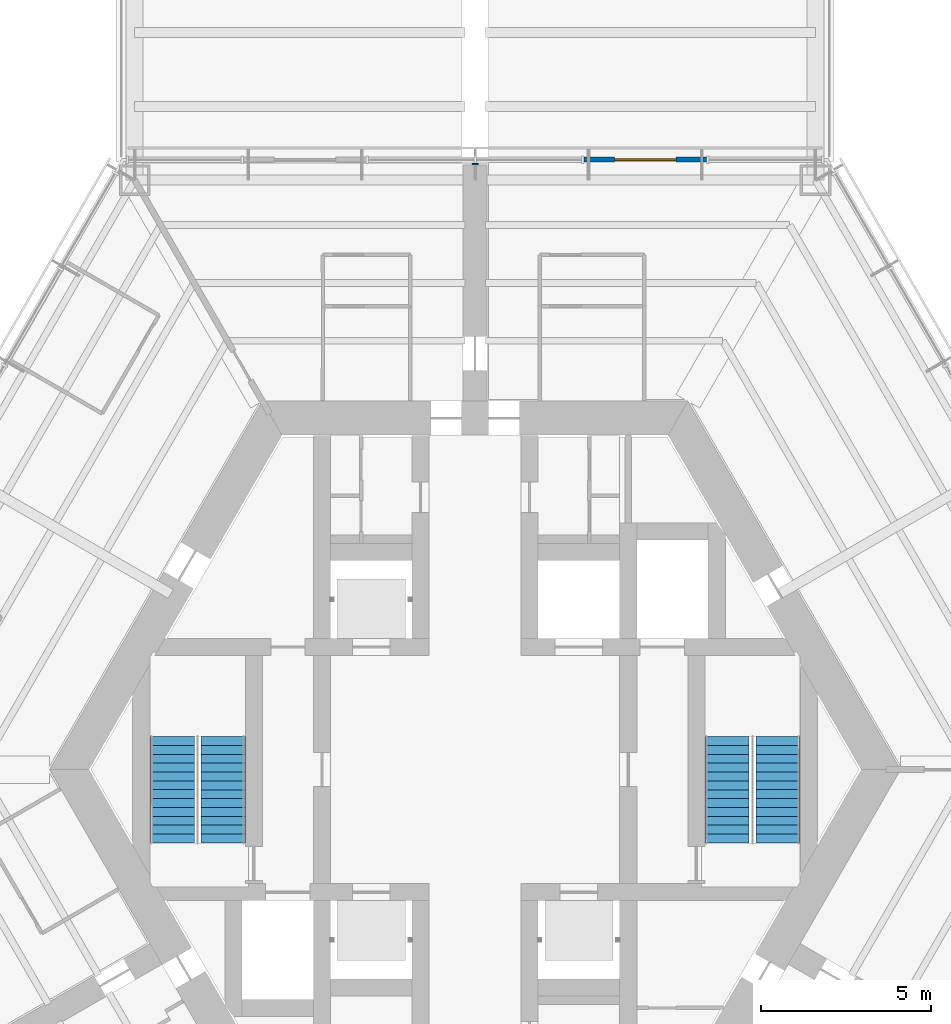
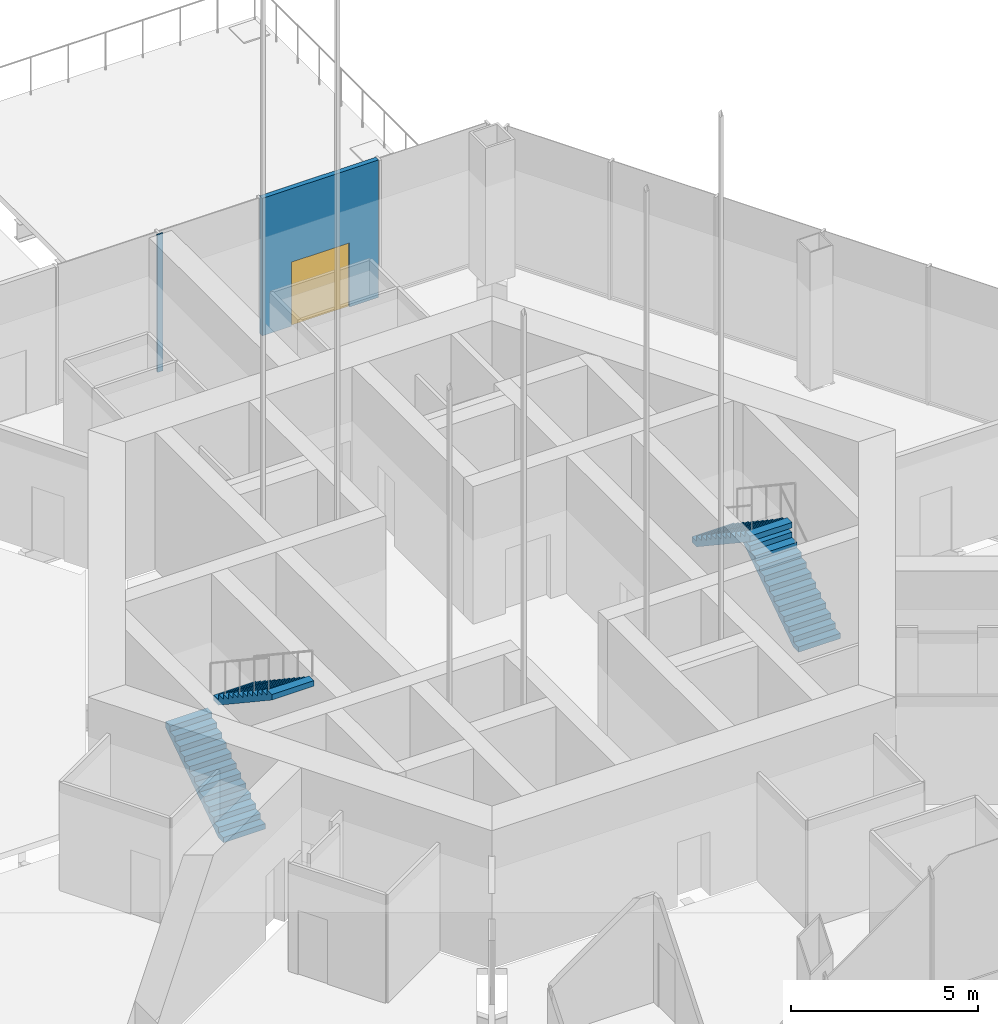
# One storey, part 13 of 18: 4 stair flights, 2 walls, 1 door, 1 opening, 2 elements without a shape of their own.
"""IFC4 building model written with IfcOpenShell, lengths in metres."""

from ifc_helpers import new_model, si_unit, direction, frame, frame_2d, origin, place, context, subcontext, project, spatial, polyline, rectangle, outline, extrude, material, layer, layer_set, type_object, element, fill, aggregate, save


model = new_model("IFC4")

# Units and contexts
model_context = context("Model", 3, precision=1e-05, world=origin(), true_north=direction((0.0, 1.0)))
body_context = subcontext(model_context, "Body", "Model", "MODEL_VIEW")
ifc_project = project(units=[si_unit("LENGTHUNIT", "METRE"), si_unit("AREAUNIT", "SQUARE_METRE"), si_unit("VOLUMEUNIT", "CUBIC_METRE"), si_unit("PLANEANGLEUNIT", "RADIAN"), si_unit("MASSUNIT", "GRAM", prefix="KILO")], contexts=[model_context])

# Site, building, storey
site_placement = place(None, origin())
site = spatial("IfcSite", under=ifc_project, at=site_placement, CompositionType="ELEMENT")
building_placement = place(site_placement, origin())
building = spatial("IfcBuilding", under=site, at=building_placement, Name="Kasaneha Research Tower", CompositionType="ELEMENT")
storey_placement = place(building_placement, frame((0.0, 0.0, 128.60009765625)))
storey = spatial("IfcBuildingStorey", under=building, at=storey_placement, Name="L32", CompositionType="ELEMENT", Elevation=128.60009765625)

# Wall, opening, door
ifc_material_1 = material(Name="Glass and aluminium", Category="aluminium")
ifc_layer_1 = layer(ifc_material_1, 0.14990234375)
ifc_layer_set_1 = layer_set([ifc_layer_1], Name="Glazed entrance screen 150")
wall_type_1 = type_object("IfcWallType", Name="Glazed entrance screen 150", PredefinedType="STANDARD", material=ifc_layer_set_1)
wall_1_placement = place(storey_placement, frame((6.800048828125, 17.92041015625, 0.0), z_axis=(0.0, 0.0, 1.0), x_axis=(-1.0, 0.0, 0.0)))
wall_1 = element("IfcWall", 1, at=wall_1_placement, inside=storey, type_object=wall_type_1, Name="Glazed entrance screen L32", PredefinedType="STANDARD", context=body_context, shape_type="SweptSolid", body=[
    extrude(rectangle(XDim=3.60009765625, YDim=0.14990234375, at=frame_2d((1.800048828125, 0.0))), origin(), (0.0, 0.0, 1.0), 4.5),
])
opening_placement = place(wall_1_placement, frame((0.89990234375, 0.0, 0.0)))
opening = element("IfcOpeningElement", 2, at=opening_placement, cuts=wall_1, Name="Opening L32-ED08", PredefinedType="OPENING", context=body_context, shape_type="SweptSolid", body=[
    extrude(rectangle(XDim=1.800048828125, YDim=2.10009765625, at=frame_2d((0.89990234375, 1.050048828125))), frame((0.0, 0.0849609375, 0.0), z_axis=(0.0, -1.0, 0.0), x_axis=(1.0, 0.0, 0.0)), (0.0, 0.0, 1.0), 0.169921875),
])
ifc_material_2 = material(Name="Glass and aluminium", Category="aluminium")
door_type = type_object("IfcDoorType", Name="Terrace door 1800x2100", OperationType="DOUBLE_DOOR_SINGLE_SWING", PredefinedType="DOOR", material=ifc_material_2)
door_placement = place(opening_placement, origin())
door = element("IfcDoor", 3, at=door_placement, inside=storey, type_object=door_type, Name="Terrace door L32-ED08", OperationType="DOUBLE_DOOR_SINGLE_SWING", OverallHeight=2.10009765625, OverallWidth=1.800048828125, PredefinedType="DOOR", context=body_context, shape_type="SweptSolid", body=[
    extrude(rectangle(XDim=1.800048828125, YDim=2.10009765625, at=frame_2d((0.89990234375, 1.050048828125))), frame((0.0, 0.02490234375, 0.0), z_axis=(0.0, -1.0, 0.0), x_axis=(1.0, 0.0, 0.0)), (0.0, 0.0, 1.0), 0.050048828125),
])
fill(opening, door)

# Wall
ifc_material_3 = material(Name="Gypsum board on steel studs, two layers each side", Category="steel")
ifc_layer_2 = layer(ifc_material_3, 0.175048828125)
ifc_layer_set_2 = layer_set([ifc_layer_2], Name="Tenancy fire partition 175")
wall_type_2 = type_object("IfcWallType", Name="Tenancy fire partition 175", PredefinedType="PARTITIONING", material=ifc_layer_set_2)
wall_2_placement = place(storey_placement, frame((0.0, 17.7705078125, 0.0), z_axis=(0.0, 0.0, 1.0), x_axis=(0.0, 1.0, 0.0)))
element("IfcWall", 4, at=wall_2_placement, inside=storey, type_object=wall_type_2, Name="Spine wall closer SW3-700 L32", PredefinedType="PARTITIONING", context=body_context, shape_type="SweptSolid", body=[
    extrude(rectangle(XDim=0.044921875, YDim=0.175048828125, at=frame_2d((0.0224609375, 0.0))), origin(), (0.0, 0.0, 1.0), 4.5),
])

# Stair, stair flights
ifc_material_4 = material(Name="Concrete Fc24", Category="concrete")
stair_type = type_object("IfcStairType", Name="Half-turn stair 26 risers", PredefinedType="HALF_TURN_STAIR", material=ifc_material_4)
stair_1_placement = place(storey_placement, origin())
stair_1 = element("IfcStair", 5, at=stair_1_placement, inside=storey, type_object=stair_type, Name="Stair 1 L32", PredefinedType="HALF_TURN_STAIR")
ifc_material_5 = material(Name="Concrete Fc24", Category="concrete")
stair_flight_type = type_object("IfcStairFlightType", Name="Stair flight 13 risers 173.1", PredefinedType="STRAIGHT", material=ifc_material_5)
stair_flight_1_placement = place(storey_placement, frame((8.89990234375, -2.14990234375, 0.0), z_axis=(0.0, 0.0, 1.0), x_axis=(0.0, 1.0, 0.0)))
stair_flight_1 = element("IfcStairFlight", 6, at=stair_flight_1_placement, type_object=stair_flight_type, Name="ST1-26R flight 1", NumberOfRisers=13, NumberOfTreads=12, PredefinedType="STRAIGHT", RiserHeight=0.173076923, TreadLength=0.26, context=body_context, shape_type="SweptSolid", body=[
    extrude(outline(polyline([(0.0, 0.0), (0.0, 0.173095703125), (0.260009765625, 0.173095703125), (0.260009765625, 0.34619140625), (0.52001953125, 0.34619140625), (0.52001953125, 0.519287109375), (0.780029296875, 0.519287109375), (0.780029296875, 0.6923828125), (1.0400390625, 0.6923828125), (1.0400390625, 0.865478515625), (1.300048828125, 0.865478515625), (1.300048828125, 1.03857421875), (1.56005859375, 1.03857421875), (1.56005859375, 1.21142578125), (1.820068359375, 1.21142578125), (1.820068359375, 1.384521484375), (2.080078125, 1.384521484375), (2.080078125, 1.5576171875), (2.340087890625, 1.5576171875), (2.340087890625, 1.730712890625), (2.60009765625, 1.730712890625), (2.60009765625, 1.90380859375), (2.860107421875, 1.90380859375), (2.860107421875, 2.076904296875), (3.1201171875, 2.076904296875), (3.1201171875, 2.25), (3.1201171875, 1.896728515625), (0.2705078125, 0.0), (0.0, 0.0)])), frame((0.0, 0.64990234375, 0.0), z_axis=(0.0, -1.0, 0.0), x_axis=(1.0, 0.0, 0.0)), (0.0, 0.0, 1.0), 1.300048828125),
])
stair_flight_2_placement = place(storey_placement, frame((7.39990234375, 0.969970703125, 2.25), z_axis=(0.0, 0.0, 1.0), x_axis=(0.0, -1.0, 0.0)))
stair_flight_2 = element("IfcStairFlight", 7, at=stair_flight_2_placement, type_object=stair_flight_type, Name="ST1-26R flight 2", NumberOfRisers=13, NumberOfTreads=12, PredefinedType="STRAIGHT", RiserHeight=0.173076923, TreadLength=0.26, context=body_context, shape_type="SweptSolid", body=[
    extrude(outline(polyline([(0.0, 0.0), (0.0, 0.173095703125), (0.260009765625, 0.173095703125), (0.260009765625, 0.34619140625), (0.52001953125, 0.34619140625), (0.52001953125, 0.519287109375), (0.780029296875, 0.519287109375), (0.780029296875, 0.6923828125), (1.0400390625, 0.6923828125), (1.0400390625, 0.865478515625), (1.300048828125, 0.865478515625), (1.300048828125, 1.03857421875), (1.56005859375, 1.03857421875), (1.56005859375, 1.21142578125), (1.820068359375, 1.21142578125), (1.820068359375, 1.384521484375), (2.080078125, 1.384521484375), (2.080078125, 1.5576171875), (2.340087890625, 1.5576171875), (2.340087890625, 1.730712890625), (2.60009765625, 1.730712890625), (2.60009765625, 1.90380859375), (2.860107421875, 1.90380859375), (2.860107421875, 2.076904296875), (3.1201171875, 2.076904296875), (3.1201171875, 2.25), (3.1201171875, 1.896728515625), (0.2705078125, 0.0), (0.0, 0.0)])), frame((0.0, 0.64990234375, 0.0), z_axis=(0.0, -1.0, 0.0), x_axis=(1.0, 0.0, 0.0)), (0.0, 0.0, 1.0), 1.300048828125),
])
aggregate(stair_1, [stair_flight_1, stair_flight_2])

stair_2_placement = place(storey_placement, origin())
stair_2 = element("IfcStair", 8, at=stair_2_placement, inside=storey, type_object=stair_type, Name="Stair 2 L32", PredefinedType="HALF_TURN_STAIR")
stair_flight_3_placement = place(storey_placement, frame((-8.89990234375, -2.14990234375, 0.0), z_axis=(0.0, 0.0, 1.0), x_axis=(0.0, 1.0, 0.0)))
stair_flight_3 = element("IfcStairFlight", 9, at=stair_flight_3_placement, type_object=stair_flight_type, Name="ST2-26R flight 1", NumberOfRisers=13, NumberOfTreads=12, PredefinedType="STRAIGHT", RiserHeight=0.173076923, TreadLength=0.26, context=body_context, shape_type="SweptSolid", body=[
    extrude(outline(polyline([(0.0, 0.0), (0.0, 0.173095703125), (0.260009765625, 0.173095703125), (0.260009765625, 0.34619140625), (0.52001953125, 0.34619140625), (0.52001953125, 0.519287109375), (0.780029296875, 0.519287109375), (0.780029296875, 0.6923828125), (1.0400390625, 0.6923828125), (1.0400390625, 0.865478515625), (1.300048828125, 0.865478515625), (1.300048828125, 1.03857421875), (1.56005859375, 1.03857421875), (1.56005859375, 1.21142578125), (1.820068359375, 1.21142578125), (1.820068359375, 1.384521484375), (2.080078125, 1.384521484375), (2.080078125, 1.5576171875), (2.340087890625, 1.5576171875), (2.340087890625, 1.730712890625), (2.60009765625, 1.730712890625), (2.60009765625, 1.90380859375), (2.860107421875, 1.90380859375), (2.860107421875, 2.076904296875), (3.1201171875, 2.076904296875), (3.1201171875, 2.25), (3.1201171875, 1.896728515625), (0.2705078125, 0.0), (0.0, 0.0)])), frame((0.0, 0.64990234375, 0.0), z_axis=(0.0, -1.0, 0.0), x_axis=(1.0, 0.0, 0.0)), (0.0, 0.0, 1.0), 1.300048828125),
])
stair_flight_4_placement = place(storey_placement, frame((-7.39990234375, 0.969970703125, 2.25), z_axis=(0.0, 0.0, 1.0), x_axis=(0.0, -1.0, 0.0)))
stair_flight_4 = element("IfcStairFlight", 10, at=stair_flight_4_placement, type_object=stair_flight_type, Name="ST2-26R flight 2", NumberOfRisers=13, NumberOfTreads=12, PredefinedType="STRAIGHT", RiserHeight=0.173076923, TreadLength=0.26, context=body_context, shape_type="SweptSolid", body=[
    extrude(outline(polyline([(0.0, 0.0), (0.0, 0.173095703125), (0.260009765625, 0.173095703125), (0.260009765625, 0.34619140625), (0.52001953125, 0.34619140625), (0.52001953125, 0.519287109375), (0.780029296875, 0.519287109375), (0.780029296875, 0.6923828125), (1.0400390625, 0.6923828125), (1.0400390625, 0.865478515625), (1.300048828125, 0.865478515625), (1.300048828125, 1.03857421875), (1.56005859375, 1.03857421875), (1.56005859375, 1.21142578125), (1.820068359375, 1.21142578125), (1.820068359375, 1.384521484375), (2.080078125, 1.384521484375), (2.080078125, 1.5576171875), (2.340087890625, 1.5576171875), (2.340087890625, 1.730712890625), (2.60009765625, 1.730712890625), (2.60009765625, 1.90380859375), (2.860107421875, 1.90380859375), (2.860107421875, 2.076904296875), (3.1201171875, 2.076904296875), (3.1201171875, 2.25), (3.1201171875, 1.896728515625), (0.2705078125, 0.0), (0.0, 0.0)])), frame((0.0, 0.64990234375, 0.0), z_axis=(0.0, -1.0, 0.0), x_axis=(1.0, 0.0, 0.0)), (0.0, 0.0, 1.0), 1.300048828125),
])
aggregate(stair_2, [stair_flight_3, stair_flight_4])

save(model, "model.ifc")
